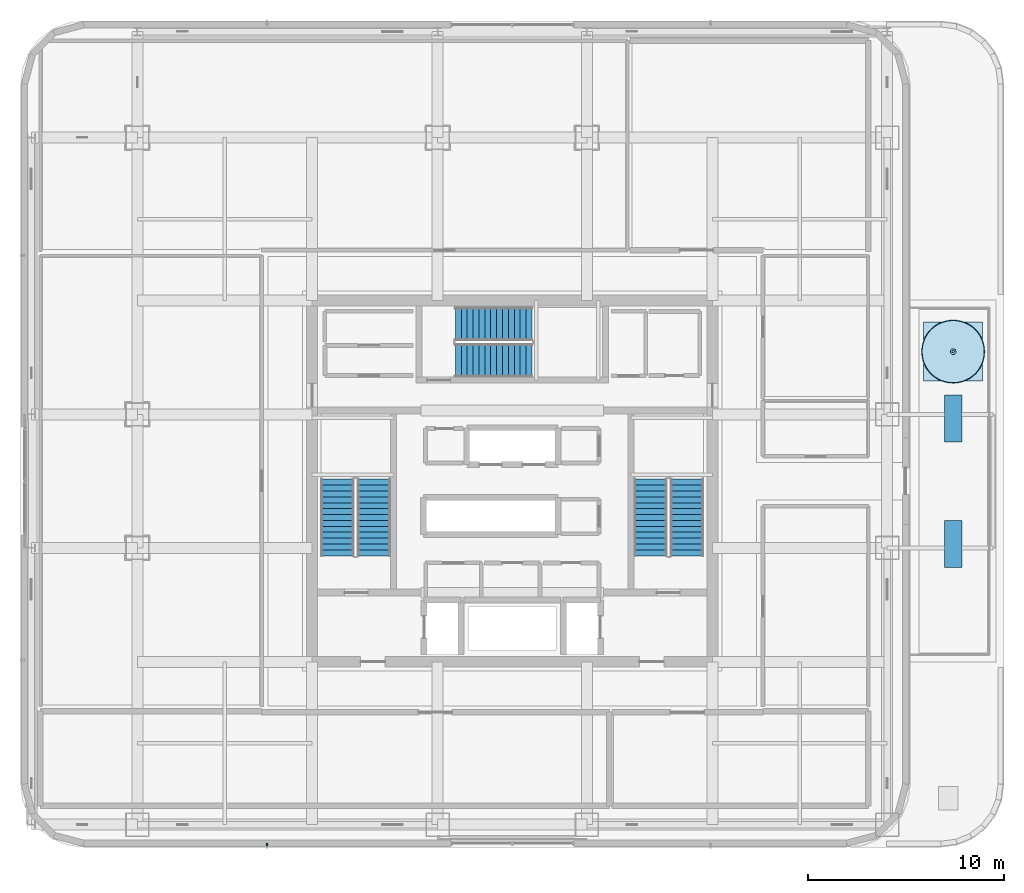
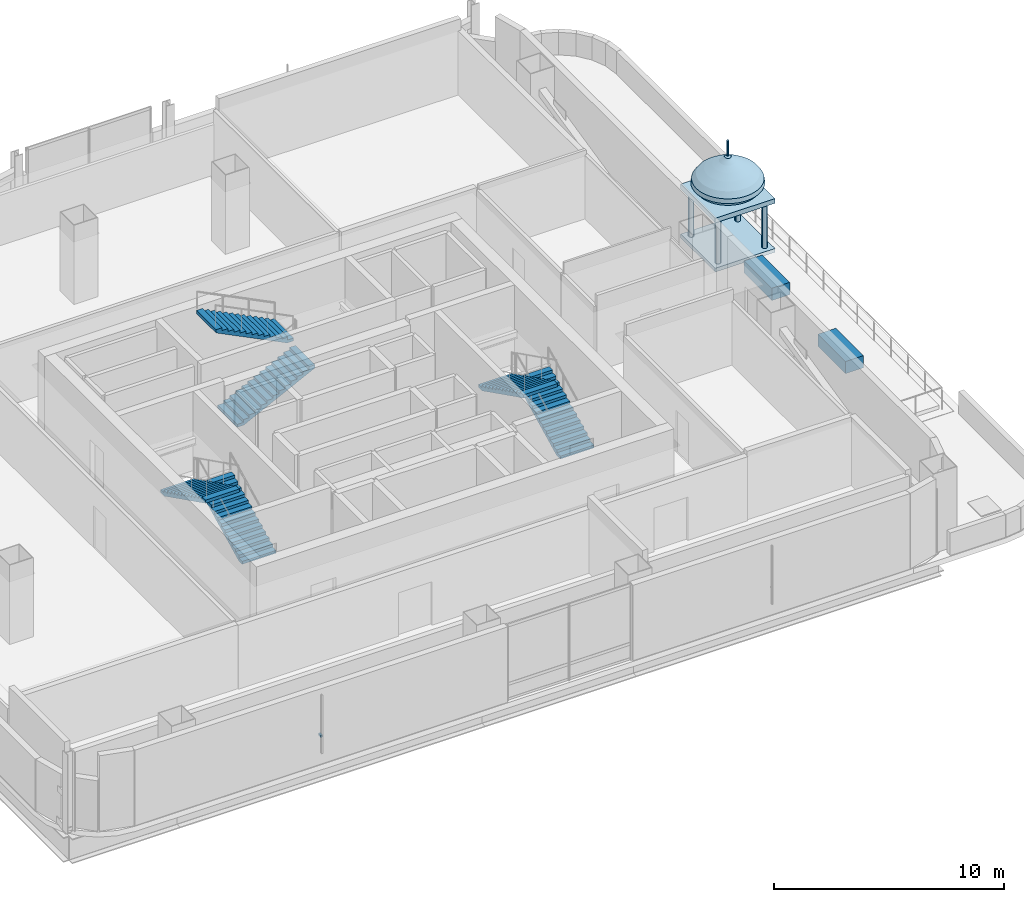
# One storey, part 15 of 31: 6 stair flights, 3 discrete accessories, 1 roof, 3 elements without a shape of their own.
"""IFC4 building model written with IfcOpenShell, lengths in metres."""

from ifc_helpers import new_model, entity, si_unit, direction, frame, origin, origin_2d, place, context, subcontext, project, spatial, polyline, rectangle, circle, outline, extrude, material, type_object, element, aggregate, save


model = new_model("IFC4")

# Units and contexts
model_context = context("Model", 3, precision=1e-05, world=origin(), true_north=direction((0.0, 1.0)))
body_context = subcontext(model_context, "Body", "Model", "MODEL_VIEW")
ifc_project = project(units=[si_unit("LENGTHUNIT", "METRE"), si_unit("AREAUNIT", "SQUARE_METRE"), si_unit("VOLUMEUNIT", "CUBIC_METRE"), si_unit("PLANEANGLEUNIT", "RADIAN"), si_unit("MASSUNIT", "GRAM", prefix="KILO")], contexts=[model_context])

# Site, building, storey
site_placement = place(None, origin())
site = spatial("IfcSite", under=ifc_project, at=site_placement, CompositionType="ELEMENT")
building_placement = place(site_placement, origin())
building = spatial("IfcBuilding", under=site, at=building_placement, Name="Punatoya Terracotta Tower", CompositionType="ELEMENT")
storey_placement = place(building_placement, frame((0.0, 0.0, 283.800048828125)))
storey = spatial("IfcBuildingStorey", under=building, at=storey_placement, Name="L67", CompositionType="ELEMENT", Elevation=283.800048828125)

# Stair, stair flights
ifc_material_1 = material(Name="Concrete C40/50", Category="concrete")
stair_type_1 = type_object("IfcStairType", Name="STR-CORE-1550", PredefinedType="HALF_TURN_STAIR", material=ifc_material_1)
stair_1_placement = place(storey_placement, origin())
stair_1 = element("IfcStair", 1, at=stair_1_placement, inside=storey, type_object=stair_type_1, Name="L67 Protected Core Exit Stair ST-1", PredefinedType="HALF_TURN_STAIR")
stair_flight_type_1 = type_object("IfcStairFlightType", Name="SFL-CORE-1550", PredefinedType="STRAIGHT", material=ifc_material_1)
stair_flight_1_placement = place(storey_placement, frame((-7.050048828125, -3.800048828125, 0.0), z_axis=(0.0, 0.0, 1.0), x_axis=(0.0, 1.0, 0.0)))
stair_flight_1 = element("IfcStairFlight", 2, at=stair_flight_1_placement, type_object=stair_flight_type_1, Name="ST-1 flight 1", NumberOfRisers=14, NumberOfTreads=13, PredefinedType="STRAIGHT", RiserHeight=0.15, TreadLength=0.3, context=body_context, shape_type="SweptSolid", body=[
    extrude(outline(polyline([(0.0, 0.0), (0.0, 0.14990234375), (0.300048828125, 0.14990234375), (0.300048828125, 0.300048828125), (0.60009765625, 0.300048828125), (0.60009765625, 0.449951171875), (0.89990234375, 0.449951171875), (0.89990234375, 0.60009765625), (1.199951171875, 0.60009765625), (1.199951171875, 0.75), (1.5, 0.75), (1.5, 0.89990234375), (1.800048828125, 0.89990234375), (1.800048828125, 1.050048828125), (2.10009765625, 1.050048828125), (2.10009765625, 1.199951171875), (2.39990234375, 1.199951171875), (2.39990234375, 1.35009765625), (2.699951171875, 1.35009765625), (2.699951171875, 1.5), (3.0, 1.5), (3.0, 1.64990234375), (3.300048828125, 1.64990234375), (3.300048828125, 1.800048828125), (3.60009765625, 1.800048828125), (3.60009765625, 1.949951171875), (3.89990234375, 1.949951171875), (3.89990234375, 2.10009765625), (3.89990234375, 1.782470703125), (0.335205078125, 0.0), (0.0, 0.0)])), frame((0.0, 0.85009765625, 0.0), z_axis=(0.0, -1.0, 0.0), x_axis=(1.0, 0.0, 0.0)), (0.0, 0.0, 1.0), 1.699951171875),
])
stair_flight_2_placement = place(storey_placement, frame((-8.89990234375, 0.10009765625, 2.099853515625), z_axis=(0.0, 0.0, 1.0), x_axis=(0.0, -1.0, 0.0)))
stair_flight_2 = element("IfcStairFlight", 3, at=stair_flight_2_placement, type_object=stair_flight_type_1, Name="ST-1 flight 2", NumberOfRisers=14, NumberOfTreads=13, PredefinedType="STRAIGHT", RiserHeight=0.15, TreadLength=0.3, context=body_context, shape_type="SweptSolid", body=[
    extrude(outline(polyline([(0.0, 0.0), (0.0, 0.14990234375), (0.300048828125, 0.14990234375), (0.300048828125, 0.300048828125), (0.60009765625, 0.300048828125), (0.60009765625, 0.449951171875), (0.89990234375, 0.449951171875), (0.89990234375, 0.60009765625), (1.199951171875, 0.60009765625), (1.199951171875, 0.75), (1.5, 0.75), (1.5, 0.89990234375), (1.800048828125, 0.89990234375), (1.800048828125, 1.050048828125), (2.10009765625, 1.050048828125), (2.10009765625, 1.199951171875), (2.39990234375, 1.199951171875), (2.39990234375, 1.35009765625), (2.699951171875, 1.35009765625), (2.699951171875, 1.5), (3.0, 1.5), (3.0, 1.64990234375), (3.300048828125, 1.64990234375), (3.300048828125, 1.800048828125), (3.60009765625, 1.800048828125), (3.60009765625, 1.949951171875), (3.89990234375, 1.949951171875), (3.89990234375, 2.10009765625), (3.89990234375, 1.782470703125), (0.335205078125, 0.0), (0.0, 0.0)])), frame((0.0, 0.85009765625, 0.0), z_axis=(0.0, -1.0, 0.0), x_axis=(1.0, 0.0, 0.0)), (0.0, 0.0, 1.0), 1.699951171875),
])
aggregate(stair_1, [stair_flight_1, stair_flight_2])

stair_type_2 = type_object("IfcStairType", Name="STR-LOB-1650", PredefinedType="HALF_TURN_STAIR", material=ifc_material_1)
stair_2_placement = place(storey_placement, origin())
stair_2 = element("IfcStair", 4, at=stair_2_placement, inside=storey, type_object=stair_type_2, Name="L67 Protected Core Exit Stair ST-2", PredefinedType="HALF_TURN_STAIR")
stair_flight_type_2 = type_object("IfcStairFlightType", Name="SFL-LOB-1650", PredefinedType="STRAIGHT", material=ifc_material_1)
stair_flight_3_placement = place(storey_placement, frame((8.89990234375, -3.800048828125, 0.0), z_axis=(0.0, 0.0, 1.0), x_axis=(0.0, 1.0, 0.0)))
stair_flight_3 = element("IfcStairFlight", 5, at=stair_flight_3_placement, type_object=stair_flight_type_2, Name="ST-2 flight 1", NumberOfRisers=14, NumberOfTreads=13, PredefinedType="STRAIGHT", RiserHeight=0.15, TreadLength=0.3, context=body_context, shape_type="SweptSolid", body=[
    extrude(outline(polyline([(0.0, 0.0), (0.0, 0.14990234375), (0.300048828125, 0.14990234375), (0.300048828125, 0.300048828125), (0.60009765625, 0.300048828125), (0.60009765625, 0.449951171875), (0.89990234375, 0.449951171875), (0.89990234375, 0.60009765625), (1.199951171875, 0.60009765625), (1.199951171875, 0.75), (1.5, 0.75), (1.5, 0.89990234375), (1.800048828125, 0.89990234375), (1.800048828125, 1.050048828125), (2.10009765625, 1.050048828125), (2.10009765625, 1.199951171875), (2.39990234375, 1.199951171875), (2.39990234375, 1.35009765625), (2.699951171875, 1.35009765625), (2.699951171875, 1.5), (3.0, 1.5), (3.0, 1.64990234375), (3.300048828125, 1.64990234375), (3.300048828125, 1.800048828125), (3.60009765625, 1.800048828125), (3.60009765625, 1.949951171875), (3.89990234375, 1.949951171875), (3.89990234375, 2.10009765625), (3.89990234375, 1.782470703125), (0.335205078125, 0.0), (0.0, 0.0)])), frame((0.0, 0.85009765625, 0.0), z_axis=(0.0, -1.0, 0.0), x_axis=(1.0, 0.0, 0.0)), (0.0, 0.0, 1.0), 1.699951171875),
])
stair_flight_4_placement = place(storey_placement, frame((7.050048828125, 0.10009765625, 2.099853515625), z_axis=(0.0, 0.0, 1.0), x_axis=(0.0, -1.0, 0.0)))
stair_flight_4 = element("IfcStairFlight", 6, at=stair_flight_4_placement, type_object=stair_flight_type_2, Name="ST-2 flight 2", NumberOfRisers=14, NumberOfTreads=13, PredefinedType="STRAIGHT", RiserHeight=0.15, TreadLength=0.3, context=body_context, shape_type="SweptSolid", body=[
    extrude(outline(polyline([(0.0, 0.0), (0.0, 0.14990234375), (0.300048828125, 0.14990234375), (0.300048828125, 0.300048828125), (0.60009765625, 0.300048828125), (0.60009765625, 0.449951171875), (0.89990234375, 0.449951171875), (0.89990234375, 0.60009765625), (1.199951171875, 0.60009765625), (1.199951171875, 0.75), (1.5, 0.75), (1.5, 0.89990234375), (1.800048828125, 0.89990234375), (1.800048828125, 1.050048828125), (2.10009765625, 1.050048828125), (2.10009765625, 1.199951171875), (2.39990234375, 1.199951171875), (2.39990234375, 1.35009765625), (2.699951171875, 1.35009765625), (2.699951171875, 1.5), (3.0, 1.5), (3.0, 1.64990234375), (3.300048828125, 1.64990234375), (3.300048828125, 1.800048828125), (3.60009765625, 1.800048828125), (3.60009765625, 1.949951171875), (3.89990234375, 1.949951171875), (3.89990234375, 2.10009765625), (3.89990234375, 1.782470703125), (0.335205078125, 0.0), (0.0, 0.0)])), frame((0.0, 0.85009765625, 0.0), z_axis=(0.0, -1.0, 0.0), x_axis=(1.0, 0.0, 0.0)), (0.0, 0.0, 1.0), 1.699951171875),
])
aggregate(stair_2, [stair_flight_3, stair_flight_4])

stair_type_3 = type_object("IfcStairType", Name="STR-TER-1450", PredefinedType="HALF_TURN_STAIR", material=ifc_material_1)
stair_3_placement = place(storey_placement, origin())
stair_3 = element("IfcStair", 7, at=stair_3_placement, inside=storey, type_object=stair_type_3, Name="L67 Protected Core Exit Stair ST-3", PredefinedType="HALF_TURN_STAIR")
stair_flight_type_3 = type_object("IfcStairFlightType", Name="SFL-TER-1450", PredefinedType="STRAIGHT", material=ifc_material_1)
stair_flight_5_placement = place(storey_placement, frame((-2.89990234375, 6.14990234375, 0.0), z_axis=(0.0, 0.0, 1.0), x_axis=(1.0, 0.0, 0.0)))
stair_flight_5 = element("IfcStairFlight", 8, at=stair_flight_5_placement, type_object=stair_flight_type_3, Name="ST-3 flight 1", NumberOfRisers=14, NumberOfTreads=13, PredefinedType="STRAIGHT", RiserHeight=0.15, TreadLength=0.3, context=body_context, shape_type="SweptSolid", body=[
    extrude(outline(polyline([(0.0, 0.0), (0.0, 0.14990234375), (0.300048828125, 0.14990234375), (0.300048828125, 0.300048828125), (0.60009765625, 0.300048828125), (0.60009765625, 0.449951171875), (0.89990234375, 0.449951171875), (0.89990234375, 0.60009765625), (1.199951171875, 0.60009765625), (1.199951171875, 0.75), (1.5, 0.75), (1.5, 0.89990234375), (1.800048828125, 0.89990234375), (1.800048828125, 1.050048828125), (2.10009765625, 1.050048828125), (2.10009765625, 1.199951171875), (2.39990234375, 1.199951171875), (2.39990234375, 1.35009765625), (2.699951171875, 1.35009765625), (2.699951171875, 1.5), (3.0, 1.5), (3.0, 1.64990234375), (3.300048828125, 1.64990234375), (3.300048828125, 1.800048828125), (3.60009765625, 1.800048828125), (3.60009765625, 1.949951171875), (3.89990234375, 1.949951171875), (3.89990234375, 2.10009765625), (3.89990234375, 1.782470703125), (0.335205078125, 0.0), (0.0, 0.0)])), frame((0.0, 0.85009765625, 0.0), z_axis=(0.0, -1.0, 0.0), x_axis=(1.0, 0.0, 0.0)), (0.0, 0.0, 1.0), 1.699951171875),
])
stair_flight_6_placement = place(storey_placement, frame((1.0, 8.0, 2.099853515625), z_axis=(0.0, 0.0, 1.0), x_axis=(-1.0, 0.0, 0.0)))
stair_flight_6 = element("IfcStairFlight", 9, at=stair_flight_6_placement, type_object=stair_flight_type_3, Name="ST-3 flight 2", NumberOfRisers=14, NumberOfTreads=13, PredefinedType="STRAIGHT", RiserHeight=0.15, TreadLength=0.3, context=body_context, shape_type="SweptSolid", body=[
    extrude(outline(polyline([(0.0, 0.0), (0.0, 0.14990234375), (0.300048828125, 0.14990234375), (0.300048828125, 0.300048828125), (0.60009765625, 0.300048828125), (0.60009765625, 0.449951171875), (0.89990234375, 0.449951171875), (0.89990234375, 0.60009765625), (1.199951171875, 0.60009765625), (1.199951171875, 0.75), (1.5, 0.75), (1.5, 0.89990234375), (1.800048828125, 0.89990234375), (1.800048828125, 1.050048828125), (2.10009765625, 1.050048828125), (2.10009765625, 1.199951171875), (2.39990234375, 1.199951171875), (2.39990234375, 1.35009765625), (2.699951171875, 1.35009765625), (2.699951171875, 1.5), (3.0, 1.5), (3.0, 1.64990234375), (3.300048828125, 1.64990234375), (3.300048828125, 1.800048828125), (3.60009765625, 1.800048828125), (3.60009765625, 1.949951171875), (3.89990234375, 1.949951171875), (3.89990234375, 2.10009765625), (3.89990234375, 1.782470703125), (0.335205078125, 0.0), (0.0, 0.0)])), frame((0.0, 0.85009765625, 0.0), z_axis=(0.0, -1.0, 0.0), x_axis=(1.0, 0.0, 0.0)), (0.0, 0.0, 1.0), 1.699951171875),
])
aggregate(stair_3, [stair_flight_5, stair_flight_6])

# Roof
ifc_material_2 = material(Name="Architectural Fired Terracotta", Category="masonry")
roof_type = type_object("IfcRoofType", Name="ROF-CHH-2600", PredefinedType="DOME_ROOF", material=ifc_material_2)
roof_placement = place(storey_placement, frame((22.4599609375, 6.60009765625, 0.0), z_axis=(0.0, 0.0, 1.0), x_axis=(1.0, 0.0, 0.0)))
cartesian_point = entity("IfcCartesianPoint", [0.0, 0.0])
element("IfcRoof", 10, at=roof_placement, inside=storey, type_object=roof_type, Name="L67 Sky Terrace Pavilion (Chhatri) CH-08", PredefinedType="DOME_ROOF", context=body_context, shape_type="SweptSolid", body=[
    extrude(rectangle(XDim=3.0, YDim=3.0, at=origin_2d()), origin(), (0.0, 0.0, 1.0), 0.199951171875),
    extrude(circle(Radius=0.1298828125, at=origin_2d()), frame((-1.169921875, -1.169921875, 0.199951171875)), (0.0, 0.0, 1.0), 2.39990234375),
    extrude(circle(Radius=0.1298828125, at=origin_2d()), frame((1.169921875, -1.169921875, 0.199951171875)), (0.0, 0.0, 1.0), 2.39990234375),
    extrude(circle(Radius=0.1298828125, at=origin_2d()), frame((1.169921875, 1.169921875, 0.199951171875)), (0.0, 0.0, 1.0), 2.39990234375),
    extrude(circle(Radius=0.1298828125, at=origin_2d()), frame((-1.169921875, 1.169921875, 0.199951171875)), (0.0, 0.0, 1.0), 2.39990234375),
    extrude(rectangle(XDim=3.0, YDim=3.0, at=origin_2d()), frame((0.0, 0.0, 2.599853515625)), (0.0, 0.0, 1.0), 0.25),
    entity("IfcRevolvedAreaSolid", entity("IfcArbitraryClosedProfileDef", "AREA", None, entity("IfcPolyline", [cartesian_point, entity("IfcCartesianPoint", [1.06396484375, 0.0]), entity("IfcCartesianPoint", [1.16064453125, 0.094970703125]), entity("IfcCartesianPoint", [1.418701171875, 0.2470703125]), entity("IfcCartesianPoint", [1.612060546875, 0.47509765625]), entity("IfcCartesianPoint", [1.579833984375, 0.702880859375]), entity("IfcCartesianPoint", [1.386474609375, 0.968994140625]), entity("IfcCartesianPoint", [1.03173828125, 1.23486328125]), entity("IfcCartesianPoint", [0.677001953125, 1.462890625]), entity("IfcCartesianPoint", [0.386962890625, 1.634033203125]), entity("IfcCartesianPoint", [0.2255859375, 1.766845703125]), entity("IfcCartesianPoint", [0.14501953125, 1.843017578125]), entity("IfcCartesianPoint", [0.0, 1.89990234375]), cartesian_point])), entity("IfcAxis2Placement3D", entity("IfcCartesianPoint", [0.0, 0.0, 2.849853515625]), entity("IfcDirection", [0.0, -1.0, 0.0]), entity("IfcDirection", [1.0, 0.0, 0.0])), entity("IfcAxis1Placement", entity("IfcCartesianPoint", [0.0, 0.0, 0.0]), entity("IfcDirection", [0.0, 1.0, 0.0])), 6.283185307179586),
    extrude(circle(Radius=0.06005859375, at=origin_2d()), frame((0.0, 0.0, 4.749755859375)), (0.0, 0.0, 1.0), 0.800048828125),
])

# Discrete accessories
ifc_material_3 = material(Name="Steel S355", Category="steel")
discrete_accessory_type_1 = type_object("IfcDiscreteAccessoryType", Name="ACC-BRK-220", PredefinedType="BRACKET", material=ifc_material_3)
discrete_accessory_placement = place(storey_placement, frame((-12.493408203125, -18.550048828125, 1.449951171875), z_axis=(0.0, 0.0, 1.0), x_axis=(1.0, 0.0, 0.0)))
element("IfcDiscreteAccessory", 11, at=discrete_accessory_placement, inside=storey, type_object=discrete_accessory_type_1, Name="L67 Jali Fin Support Bracket S1", PredefinedType="BRACKET", context=body_context, shape_type="SweptSolid", body=[
    extrude(rectangle(XDim=0.090087890625, YDim=0.219970703125, at=origin_2d()), origin(), (0.0, 0.0, 1.0), 0.10009765625),
])
ifc_material_4 = material(Name="Architectural Terracotta Planter + Green Soil", Category="masonry")
discrete_accessory_type_2 = type_object("IfcDiscreteAccessoryType", Name="ACC-PLANTER", PredefinedType="USERDEFINED", material=ifc_material_4)
for number, where, z_axis, x_axis, name in (
    (12, (22.4599609375, -3.199951171875, 0.0), (0.0, 0.0, 1.0), (0.0, 1.0, 0.0), "L67 Planted Terracotta Sky-Garden Planter 1"),
    (13, (22.4599609375, 3.199951171875, 0.0), (0.0, 0.0, 1.0), (0.0, 1.0, 0.0), "L67 Planted Terracotta Sky-Garden Planter 2"),
):
    element("IfcDiscreteAccessory", number, at=place(storey_placement, frame(where, z_axis=z_axis, x_axis=x_axis)), inside=storey, type_object=discrete_accessory_type_2, Name=name, ObjectType="PLANTER", PredefinedType="USERDEFINED", context=body_context, shape_type="SweptSolid", body=[
        extrude(rectangle(XDim=2.39990234375, YDim=0.89990234375, at=origin_2d()), origin(), (0.0, 0.0, 1.0), 0.64990234375),
    ])

save(model, "model.ifc")
